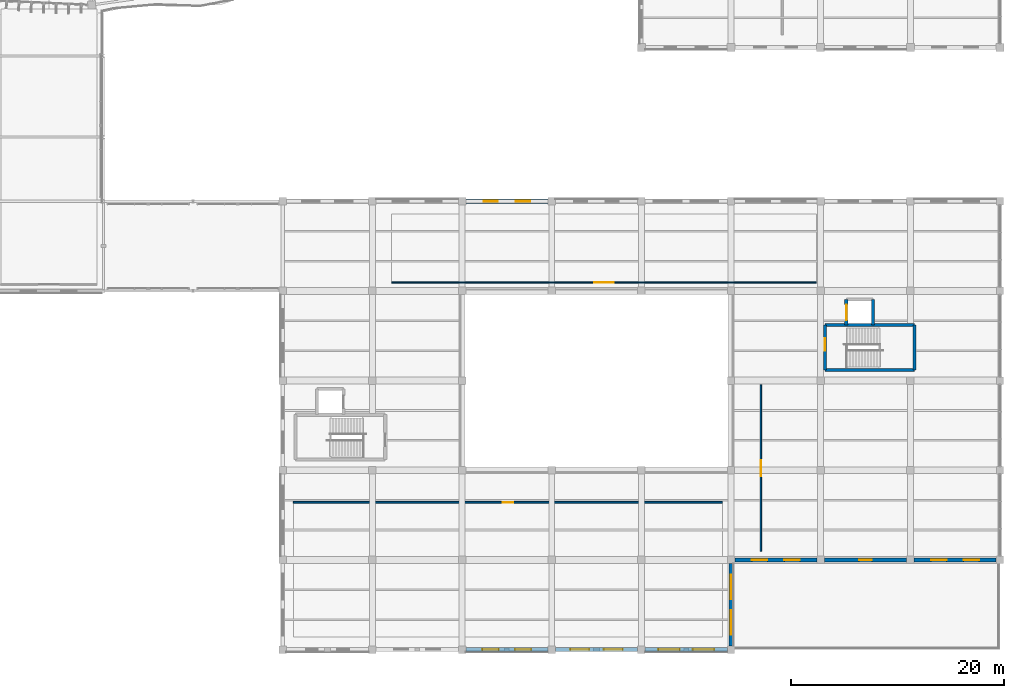
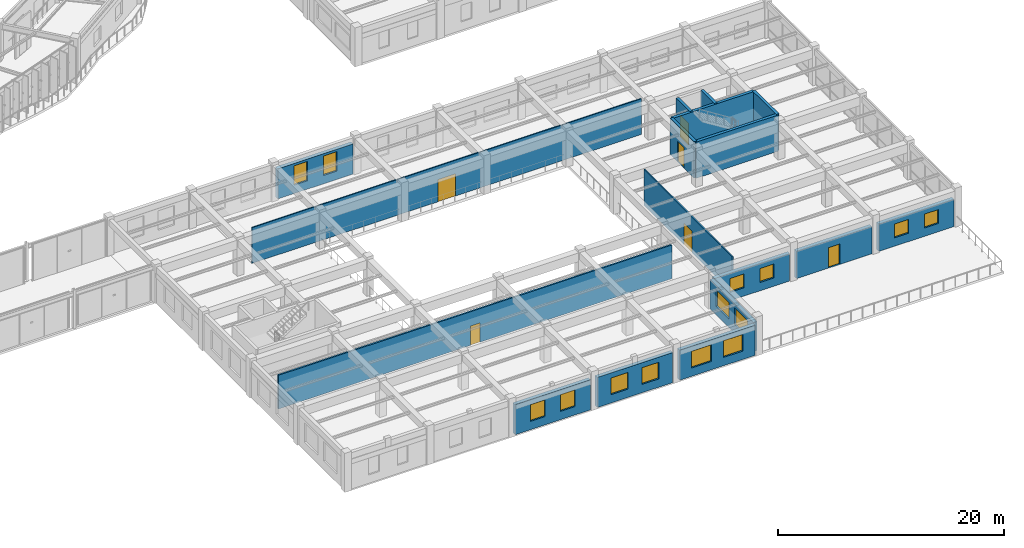
# One storey, part 126 of 152: 17 walls, 14 windows, 6 doors, 20 openings.
"""IFC4 building model written with IfcOpenShell, lengths in metres."""

from ifc_helpers import new_model, si_unit, direction, frame, frame_2d, origin, place, context, subcontext, project, spatial, rectangle, extrude, material, layer, layer_set, type_object, element, fill, save


model = new_model("IFC4")

# Units and contexts
model_context = context("Model", 3, precision=1e-05, world=origin(), true_north=direction((0.0, 1.0)))
body_context = subcontext(model_context, "Body", "Model", "MODEL_VIEW")
ifc_project = project(units=[si_unit("LENGTHUNIT", "METRE"), si_unit("AREAUNIT", "SQUARE_METRE"), si_unit("VOLUMEUNIT", "CUBIC_METRE"), si_unit("PLANEANGLEUNIT", "RADIAN"), si_unit("MASSUNIT", "GRAM", prefix="KILO"), si_unit("THERMODYNAMICTEMPERATUREUNIT", "KELVIN"), si_unit("POWERUNIT", "WATT")], contexts=[model_context])

# Site, building, storey
site_placement = place(None, origin())
site = spatial("IfcSite", under=ifc_project, at=site_placement, CompositionType="ELEMENT")
building_placement = place(site_placement, origin())
building = spatial("IfcBuilding", under=site, at=building_placement, Name="Darbajah Civic Hall", CompositionType="ELEMENT")
storey_placement = place(building_placement, frame((0.0, 0.0, 5.39990234375)))
storey = spatial("IfcBuildingStorey", under=building, at=storey_placement, Name="L01", CompositionType="ELEMENT", Elevation=5.39990234375)

# Walls
ifc_material_1 = material(Name="Concrete C45/55", Category="concrete")
ifc_layer_1 = layer(ifc_material_1, 0.300048828125, Name="Concrete C45/55")
ifc_layer_set_1 = layer_set([ifc_layer_1], Name="Concrete C45/55")
wall_type_1 = type_object("IfcWallType", Name="Core Shear Wall 300mm", PredefinedType="SHEAR", material=ifc_layer_set_1)
wall_1_placement = place(storey_placement, frame((161.800048828125, 26.199951171875, 0.0), z_axis=(0.0, 0.0, 1.0), x_axis=(1.0, 0.0, 0.0)))
element("IfcWall", 1, at=wall_1_placement, inside=storey, type_object=wall_type_1, Name="L01 core C07 shear wall S", PredefinedType="SHEAR", context=body_context, shape_type="SweptSolid", body=[
    extrude(rectangle(XDim=8.39990234375, YDim=0.300048828125, at=frame_2d((4.199951171875, 0.0))), origin(), (0.0, 0.0, 1.0), 3.920166015625),
])
wall_2_placement = place(storey_placement, frame((170.199951171875, 26.199951171875, 0.0), z_axis=(0.0, 0.0, 1.0), x_axis=(0.0, 1.0, 0.0)))
element("IfcWall", 2, at=wall_2_placement, inside=storey, type_object=wall_type_1, Name="L01 core C07 shear wall E", PredefinedType="SHEAR", context=body_context, shape_type="SweptSolid", body=[
    extrude(rectangle(XDim=4.199951171875, YDim=0.300048828125, at=frame_2d((2.10009765625, 0.0))), origin(), (0.0, 0.0, 1.0), 3.920166015625),
])
wall_3_placement = place(storey_placement, frame((170.199951171875, 30.39990234375, 0.0), z_axis=(0.0, 0.0, 1.0), x_axis=(-1.0, 0.0, 0.0)))
element("IfcWall", 3, at=wall_3_placement, inside=storey, type_object=wall_type_1, Name="L01 core C07 shear wall N", PredefinedType="SHEAR", context=body_context, shape_type="SweptSolid", body=[
    extrude(rectangle(XDim=8.39990234375, YDim=0.300048828125, at=frame_2d((4.199951171875, 0.0))), origin(), (0.0, 0.0, 1.0), 3.920166015625),
])

# Wall, opening, door
wall_4_placement = place(storey_placement, frame((161.800048828125, 30.39990234375, 0.0), z_axis=(0.0, 0.0, 1.0), x_axis=(0.0, -1.0, 0.0)))
wall_4 = element("IfcWall", 4, at=wall_4_placement, inside=storey, type_object=wall_type_1, Name="L01 core C07 shear wall W", PredefinedType="SHEAR", context=body_context, shape_type="SweptSolid", body=[
    extrude(rectangle(XDim=4.199951171875, YDim=0.300048828125, at=frame_2d((2.10009765625, 0.0))), origin(), (0.0, 0.0, 1.0), 3.920166015625),
])
opening_1_placement = place(wall_4_placement, frame((1.25, 0.0, 0.0)))
opening_1 = element("IfcOpeningElement", 5, at=opening_1_placement, cuts=wall_4, Name="Opening SD-0082", PredefinedType="OPENING", context=body_context, shape_type="SweptSolid", body=[
    extrude(rectangle(XDim=1.14990234375, YDim=2.199951171875, at=frame_2d((0.574951171875, 1.10009765625))), frame((0.0, 0.159912109375, 0.0), z_axis=(0.0, -1.0, 0.0), x_axis=(1.0, 0.0, 0.0)), (0.0, 0.0, 1.0), 0.320068359375),
])
ifc_material_2 = material(Name="Steel Rated Core Door", Category="steel")
door_type_1 = type_object("IfcDoorType", Name="Interior Door 1150x2200", OperationType="NOTDEFINED", PredefinedType="DOOR", material=ifc_material_2)
door_1_placement = place(opening_1_placement, origin())
door_1 = element("IfcDoor", 6, at=door_1_placement, inside=storey, type_object=door_type_1, Name="L01 stair ST07 fire door SD-0082", OperationType="SINGLE_SWING_LEFT", OverallHeight=2.199951171875, OverallWidth=1.14990234375, PredefinedType="DOOR", context=body_context, shape_type="SweptSolid", body=[
    extrude(rectangle(XDim=1.14990234375, YDim=2.199951171875, at=frame_2d((0.574951171875, 1.10009765625))), frame((0.0, 0.02490234375, 0.0), z_axis=(0.0, -1.0, 0.0), x_axis=(1.0, 0.0, 0.0)), (0.0, 0.0, 1.0), 0.050048828125),
])
fill(opening_1, door_1)

wall_5_placement = place(storey_placement, frame((163.800048828125, 32.800048828125, 0.0), z_axis=(0.0, 0.0, 1.0), x_axis=(0.0, -1.0, 0.0)))
wall_5 = element("IfcWall", 7, at=wall_5_placement, inside=storey, type_object=wall_type_1, Name="L01 lift GL1 shaft wall W", PredefinedType="SHEAR", context=body_context, shape_type="SweptSolid", body=[
    extrude(rectangle(XDim=2.400146484375, YDim=0.300048828125, at=frame_2d((1.2001953125, 0.0))), origin(), (0.0, 0.0, 1.0), 3.920166015625),
])
opening_2_placement = place(wall_5_placement, frame((0.47509765625, 0.0, 0.0)))
opening_2 = element("IfcOpeningElement", 8, at=opening_2_placement, cuts=wall_5, Name="Opening LD-0086", PredefinedType="OPENING", context=body_context, shape_type="SweptSolid", body=[
    extrude(rectangle(XDim=1.449951171875, YDim=2.35009765625, at=frame_2d((0.72509765625, 1.175048828125))), frame((0.0, 0.159912109375, 0.0), z_axis=(0.0, -1.0, 0.0), x_axis=(1.0, 0.0, 0.0)), (0.0, 0.0, 1.0), 0.320068359375),
])
ifc_material_3 = material(Name="Goods Lift Landing Door")
door_type_2 = type_object("IfcDoorType", Name="Lift Landing Door 1450x2350", OperationType="SLIDING_TO_LEFT", PredefinedType="DOOR", material=ifc_material_3)
door_2_placement = place(opening_2_placement, origin())
door_2 = element("IfcDoor", 9, at=door_2_placement, inside=storey, type_object=door_type_2, Name="L01 lift GL1 landing door LD-0086", OperationType="SLIDING_TO_LEFT", OverallHeight=2.35009765625, OverallWidth=1.449951171875, PredefinedType="DOOR", context=body_context, shape_type="SweptSolid", body=[
    extrude(rectangle(XDim=1.449951171875, YDim=2.35009765625, at=frame_2d((0.72509765625, 1.175048828125))), frame((0.0, 0.02490234375, 0.0), z_axis=(0.0, -1.0, 0.0), x_axis=(1.0, 0.0, 0.0)), (0.0, 0.0, 1.0), 0.050048828125),
])
fill(opening_2, door_2)

# Wall
wall_6_placement = place(storey_placement, frame((166.300048828125, 30.39990234375, 0.0), z_axis=(0.0, 0.0, 1.0), x_axis=(0.0, 1.0, 0.0)))
element("IfcWall", 10, at=wall_6_placement, inside=storey, type_object=wall_type_1, Name="L01 lift GL1 shaft wall E", PredefinedType="SHEAR", context=body_context, shape_type="SweptSolid", body=[
    extrude(rectangle(XDim=2.400146484375, YDim=0.300048828125, at=frame_2d((1.2001953125, 0.0))), origin(), (0.0, 0.0, 1.0), 3.920166015625),
])

# Wall, openings, windows
ifc_material_4 = material(Name="Red Dholpur Sandstone Cladding", Category="masonry")
ifc_layer_2 = layer(ifc_material_4, 0.3798828125, Name="Red Dholpur Sandstone Cladding")
ifc_layer_set_2 = layer_set([ifc_layer_2], Name="Red Dholpur Sandstone Cladding")
wall_type_2 = type_object("IfcWallType", Name="Exterior Wall 380mm", PredefinedType="SOLIDWALL", material=ifc_layer_set_2)
wall_7_placement = place(storey_placement, frame((128.152099609375, 0.0, 0.0), z_axis=(0.0, 0.0, 1.0), x_axis=(1.0, 0.0, 0.0)))
wall_7 = element("IfcWall", 11, at=wall_7_placement, inside=storey, type_object=wall_type_2, Name="L01 exterior wall EW-380", PredefinedType="SOLIDWALL", context=body_context, shape_type="SweptSolid", body=[
    extrude(rectangle(XDim=7.69580078125, YDim=0.3798828125, at=frame_2d((3.847900390625, 0.0))), origin(), (0.0, 0.0, 1.0), 3.25),
])
opening_3_placement = place(wall_7_placement, frame((1.565185546875, 0.0, 0.89990234375)))
opening_3 = element("IfcOpeningElement", 12, at=opening_3_placement, cuts=wall_7, Name="Opening WN-19", PredefinedType="OPENING", context=body_context, shape_type="SweptSolid", body=[
    extrude(rectangle(XDim=1.5, YDim=1.800048828125, at=frame_2d((0.75, 0.89990234375))), frame((0.0, 0.199951171875, 0.0), z_axis=(0.0, -1.0, 0.0), x_axis=(1.0, 0.0, 0.0)), (0.0, 0.0, 1.0), 0.39990234375),
])
opening_4_placement = place(wall_7_placement, frame((4.630615234375, 0.0, 0.89990234375)))
opening_4 = element("IfcOpeningElement", 13, at=opening_4_placement, cuts=wall_7, Name="Opening WN-19", PredefinedType="OPENING", context=body_context, shape_type="SweptSolid", body=[
    extrude(rectangle(XDim=1.5, YDim=1.800048828125, at=frame_2d((0.75, 0.89990234375))), frame((0.0, 0.199951171875, 0.0), z_axis=(0.0, -1.0, 0.0), x_axis=(1.0, 0.0, 0.0)), (0.0, 0.0, 1.0), 0.39990234375),
])
ifc_material_5 = material(Name="Low-E Solar Control Double Glazing", Category="glass")
window_type_1 = type_object("IfcWindowType", Name="Facade Window 1500x1800", PartitioningType="SINGLE_PANEL", PredefinedType="WINDOW", material=ifc_material_5)
window_1_placement = place(opening_3_placement, origin())
window_1 = element("IfcWindow", 14, at=window_1_placement, inside=storey, type_object=window_type_1, Name="L01 facade window WN-19", OverallHeight=1.800048828125, OverallWidth=1.5, PartitioningType="SINGLE_PANEL", PredefinedType="WINDOW", context=body_context, shape_type="SweptSolid", body=[
    extrude(rectangle(XDim=1.5, YDim=1.800048828125, at=frame_2d((0.75, 0.89990234375))), frame((0.0, 0.030029296875, 0.0), z_axis=(0.0, -1.0, 0.0), x_axis=(1.0, 0.0, 0.0)), (0.0, 0.0, 1.0), 0.06005859375),
])
fill(opening_3, window_1)
window_2_placement = place(opening_4_placement, origin())
window_2 = element("IfcWindow", 15, at=window_2_placement, inside=storey, type_object=window_type_1, Name="L01 facade window WN-19", OverallHeight=1.800048828125, OverallWidth=1.5, PartitioningType="SINGLE_PANEL", PredefinedType="WINDOW", context=body_context, shape_type="SweptSolid", body=[
    extrude(rectangle(XDim=1.5, YDim=1.800048828125, at=frame_2d((0.75, 0.89990234375))), frame((0.0, 0.030029296875, 0.0), z_axis=(0.0, -1.0, 0.0), x_axis=(1.0, 0.0, 0.0)), (0.0, 0.0, 1.0), 0.06005859375),
])
fill(opening_4, window_2)

wall_8_placement = place(storey_placement, frame((136.552001953125, 0.0, 0.0), z_axis=(0.0, 0.0, 1.0), x_axis=(1.0, 0.0, 0.0)))
wall_8 = element("IfcWall", 16, at=wall_8_placement, inside=storey, type_object=wall_type_2, Name="L01 exterior wall EW-380", PredefinedType="SOLIDWALL", context=body_context, shape_type="SweptSolid", body=[
    extrude(rectangle(XDim=7.696044921875, YDim=0.3798828125, at=frame_2d((3.84814453125, 0.0))), origin(), (0.0, 0.0, 1.0), 3.25),
])
opening_5_placement = place(wall_8_placement, frame((1.398681640625, 0.0, 0.89990234375)))
opening_5 = element("IfcOpeningElement", 17, at=opening_5_placement, cuts=wall_8, Name="Opening WN-20", PredefinedType="OPENING", context=body_context, shape_type="SweptSolid", body=[
    extrude(rectangle(XDim=1.75, YDim=1.800048828125, at=frame_2d((0.875, 0.89990234375))), frame((0.0, 0.199951171875, 0.0), z_axis=(0.0, -1.0, 0.0), x_axis=(1.0, 0.0, 0.0)), (0.0, 0.0, 1.0), 0.39990234375),
])
opening_6_placement = place(wall_8_placement, frame((4.54736328125, 0.0, 0.89990234375)))
opening_6 = element("IfcOpeningElement", 18, at=opening_6_placement, cuts=wall_8, Name="Opening WN-20", PredefinedType="OPENING", context=body_context, shape_type="SweptSolid", body=[
    extrude(rectangle(XDim=1.75, YDim=1.800048828125, at=frame_2d((0.875, 0.89990234375))), frame((0.0, 0.199951171875, 0.0), z_axis=(0.0, -1.0, 0.0), x_axis=(1.0, 0.0, 0.0)), (0.0, 0.0, 1.0), 0.39990234375),
])
window_type_2 = type_object("IfcWindowType", Name="Facade Window 1750x1800", PartitioningType="DOUBLE_PANEL_VERTICAL", PredefinedType="WINDOW", material=ifc_material_5)
window_3_placement = place(opening_5_placement, origin())
window_3 = element("IfcWindow", 19, at=window_3_placement, inside=storey, type_object=window_type_2, Name="L01 facade window WN-20", OverallHeight=1.800048828125, OverallWidth=1.75, PartitioningType="SINGLE_PANEL", PredefinedType="WINDOW", context=body_context, shape_type="SweptSolid", body=[
    extrude(rectangle(XDim=1.75, YDim=1.800048828125, at=frame_2d((0.875, 0.89990234375))), frame((0.0, 0.030029296875, 0.0), z_axis=(0.0, -1.0, 0.0), x_axis=(1.0, 0.0, 0.0)), (0.0, 0.0, 1.0), 0.06005859375),
])
fill(opening_5, window_3)
window_4_placement = place(opening_6_placement, origin())
window_4 = element("IfcWindow", 20, at=window_4_placement, inside=storey, type_object=window_type_2, Name="L01 facade window WN-20", OverallHeight=1.800048828125, OverallWidth=1.75, PartitioningType="SINGLE_PANEL", PredefinedType="WINDOW", context=body_context, shape_type="SweptSolid", body=[
    extrude(rectangle(XDim=1.75, YDim=1.800048828125, at=frame_2d((0.875, 0.89990234375))), frame((0.0, 0.030029296875, 0.0), z_axis=(0.0, -1.0, 0.0), x_axis=(1.0, 0.0, 0.0)), (0.0, 0.0, 1.0), 0.06005859375),
])
fill(opening_6, window_4)

wall_9_placement = place(storey_placement, frame((144.951904296875, 0.0, 0.0), z_axis=(0.0, 0.0, 1.0), x_axis=(1.0, 0.0, 0.0)))
wall_9 = element("IfcWall", 21, at=wall_9_placement, inside=storey, type_object=wall_type_2, Name="L01 exterior wall EW-380", PredefinedType="SOLIDWALL", context=body_context, shape_type="SweptSolid", body=[
    extrude(rectangle(XDim=7.696044921875, YDim=0.3798828125, at=frame_2d((3.84814453125, 0.0))), origin(), (0.0, 0.0, 1.0), 3.25),
])
opening_7_placement = place(wall_9_placement, frame((1.23193359375, 0.0, 0.89990234375)))
opening_7 = element("IfcOpeningElement", 22, at=opening_7_placement, cuts=wall_9, Name="Opening WN-21", PredefinedType="OPENING", context=body_context, shape_type="SweptSolid", body=[
    extrude(rectangle(XDim=2.0, YDim=1.800048828125, at=frame_2d((1.0, 0.89990234375))), frame((0.0, 0.199951171875, 0.0), z_axis=(0.0, -1.0, 0.0), x_axis=(1.0, 0.0, 0.0)), (0.0, 0.0, 1.0), 0.39990234375),
])
opening_8_placement = place(wall_9_placement, frame((4.464111328125, 0.0, 0.89990234375)))
opening_8 = element("IfcOpeningElement", 23, at=opening_8_placement, cuts=wall_9, Name="Opening WN-21", PredefinedType="OPENING", context=body_context, shape_type="SweptSolid", body=[
    extrude(rectangle(XDim=2.0, YDim=1.800048828125, at=frame_2d((1.0, 0.89990234375))), frame((0.0, 0.199951171875, 0.0), z_axis=(0.0, -1.0, 0.0), x_axis=(1.0, 0.0, 0.0)), (0.0, 0.0, 1.0), 0.39990234375),
])
window_type_3 = type_object("IfcWindowType", Name="Facade Window 2000x1800", PartitioningType="DOUBLE_PANEL_VERTICAL", PredefinedType="WINDOW", material=ifc_material_5)
window_5_placement = place(opening_7_placement, origin())
window_5 = element("IfcWindow", 24, at=window_5_placement, inside=storey, type_object=window_type_3, Name="L01 facade window WN-21", OverallHeight=1.800048828125, OverallWidth=2.0, PartitioningType="SINGLE_PANEL", PredefinedType="WINDOW", context=body_context, shape_type="SweptSolid", body=[
    extrude(rectangle(XDim=2.0, YDim=1.800048828125, at=frame_2d((1.0, 0.89990234375))), frame((0.0, 0.030029296875, 0.0), z_axis=(0.0, -1.0, 0.0), x_axis=(1.0, 0.0, 0.0)), (0.0, 0.0, 1.0), 0.06005859375),
])
fill(opening_7, window_5)
window_6_placement = place(opening_8_placement, origin())
window_6 = element("IfcWindow", 25, at=window_6_placement, inside=storey, type_object=window_type_3, Name="L01 facade window WN-21", OverallHeight=1.800048828125, OverallWidth=2.0, PartitioningType="SINGLE_PANEL", PredefinedType="WINDOW", context=body_context, shape_type="SweptSolid", body=[
    extrude(rectangle(XDim=2.0, YDim=1.800048828125, at=frame_2d((1.0, 0.89990234375))), frame((0.0, 0.030029296875, 0.0), z_axis=(0.0, -1.0, 0.0), x_axis=(1.0, 0.0, 0.0)), (0.0, 0.0, 1.0), 0.06005859375),
])
fill(opening_8, window_6)

wall_10_placement = place(storey_placement, frame((153.0, 0.35205078125, 0.0), z_axis=(0.0, 0.0, 1.0), x_axis=(0.0, 1.0, 0.0)))
wall_10 = element("IfcWall", 26, at=wall_10_placement, inside=storey, type_object=wall_type_2, Name="L01 exterior wall EW-380", PredefinedType="SOLIDWALL", context=body_context, shape_type="SweptSolid", body=[
    extrude(rectangle(XDim=7.696044921875, YDim=0.3798828125, at=frame_2d((3.84814453125, 0.0))), origin(), (0.0, 0.0, 1.0), 3.150146484375),
])
opening_9_placement = place(wall_10_placement, frame((1.031982421875, 0.0, 0.89990234375)))
opening_9 = element("IfcOpeningElement", 27, at=opening_9_placement, cuts=wall_10, Name="Opening WN-22", PredefinedType="OPENING", context=body_context, shape_type="SweptSolid", body=[
    extrude(rectangle(XDim=2.300048828125, YDim=1.800048828125, at=frame_2d((1.14990234375, 0.89990234375))), frame((0.0, 0.199951171875, 0.0), z_axis=(0.0, -1.0, 0.0), x_axis=(1.0, 0.0, 0.0)), (0.0, 0.0, 1.0), 0.39990234375),
])
opening_10_placement = place(wall_10_placement, frame((4.364013671875, 0.0, 0.89990234375)))
opening_10 = element("IfcOpeningElement", 28, at=opening_10_placement, cuts=wall_10, Name="Opening WN-22", PredefinedType="OPENING", context=body_context, shape_type="SweptSolid", body=[
    extrude(rectangle(XDim=2.300048828125, YDim=1.800048828125, at=frame_2d((1.14990234375, 0.89990234375))), frame((0.0, 0.199951171875, 0.0), z_axis=(0.0, -1.0, 0.0), x_axis=(1.0, 0.0, 0.0)), (0.0, 0.0, 1.0), 0.39990234375),
])
window_type_4 = type_object("IfcWindowType", Name="Facade Window 2300x1800", PartitioningType="DOUBLE_PANEL_VERTICAL", PredefinedType="WINDOW", material=ifc_material_5)
window_7_placement = place(opening_9_placement, origin())
window_7 = element("IfcWindow", 29, at=window_7_placement, inside=storey, type_object=window_type_4, Name="L01 facade window WN-22", OverallHeight=1.800048828125, OverallWidth=2.300048828125, PartitioningType="SINGLE_PANEL", PredefinedType="WINDOW", context=body_context, shape_type="SweptSolid", body=[
    extrude(rectangle(XDim=2.300048828125, YDim=1.800048828125, at=frame_2d((1.14990234375, 0.89990234375))), frame((0.0, 0.030029296875, 0.0), z_axis=(0.0, -1.0, 0.0), x_axis=(1.0, 0.0, 0.0)), (0.0, 0.0, 1.0), 0.06005859375),
])
fill(opening_9, window_7)
window_8_placement = place(opening_10_placement, origin())
window_8 = element("IfcWindow", 30, at=window_8_placement, inside=storey, type_object=window_type_4, Name="L01 facade window WN-22", OverallHeight=1.800048828125, OverallWidth=2.300048828125, PartitioningType="SINGLE_PANEL", PredefinedType="WINDOW", context=body_context, shape_type="SweptSolid", body=[
    extrude(rectangle(XDim=2.300048828125, YDim=1.800048828125, at=frame_2d((1.14990234375, 0.89990234375))), frame((0.0, 0.030029296875, 0.0), z_axis=(0.0, -1.0, 0.0), x_axis=(1.0, 0.0, 0.0)), (0.0, 0.0, 1.0), 0.06005859375),
])
fill(opening_10, window_8)

wall_11_placement = place(storey_placement, frame((153.35205078125, 8.39990234375, 0.0), z_axis=(0.0, 0.0, 1.0), x_axis=(1.0, 0.0, 0.0)))
wall_11 = element("IfcWall", 31, at=wall_11_placement, inside=storey, type_object=wall_type_2, Name="L01 exterior wall EW-380", PredefinedType="SOLIDWALL", context=body_context, shape_type="SweptSolid", body=[
    extrude(rectangle(XDim=7.696044921875, YDim=0.3798828125, at=frame_2d((3.84814453125, 0.0))), origin(), (0.0, 0.0, 1.0), 2.9501953125),
])
opening_11_placement = place(wall_11_placement, frame((1.5986328125, 0.0, 0.89990234375)))
opening_11 = element("IfcOpeningElement", 32, at=opening_11_placement, cuts=wall_11, Name="Opening WN-25", PredefinedType="OPENING", context=body_context, shape_type="SweptSolid", body=[
    extrude(rectangle(XDim=1.449951171875, YDim=1.5, at=frame_2d((0.72509765625, 0.75))), frame((0.0, 0.199951171875, 0.0), z_axis=(0.0, -1.0, 0.0), x_axis=(1.0, 0.0, 0.0)), (0.0, 0.0, 1.0), 0.39990234375),
])
opening_12_placement = place(wall_11_placement, frame((4.647216796875, 0.0, 0.89990234375)))
opening_12 = element("IfcOpeningElement", 33, at=opening_12_placement, cuts=wall_11, Name="Opening WN-25", PredefinedType="OPENING", context=body_context, shape_type="SweptSolid", body=[
    extrude(rectangle(XDim=1.449951171875, YDim=1.5, at=frame_2d((0.72509765625, 0.75))), frame((0.0, 0.199951171875, 0.0), z_axis=(0.0, -1.0, 0.0), x_axis=(1.0, 0.0, 0.0)), (0.0, 0.0, 1.0), 0.39990234375),
])
window_type_5 = type_object("IfcWindowType", Name="Facade Window 1450x1500", PartitioningType="SINGLE_PANEL", PredefinedType="WINDOW", material=ifc_material_5)
window_9_placement = place(opening_11_placement, origin())
window_9 = element("IfcWindow", 34, at=window_9_placement, inside=storey, type_object=window_type_5, Name="L01 facade window WN-25", OverallHeight=1.5, OverallWidth=1.449951171875, PartitioningType="SINGLE_PANEL", PredefinedType="WINDOW", context=body_context, shape_type="SweptSolid", body=[
    extrude(rectangle(XDim=1.449951171875, YDim=1.5, at=frame_2d((0.72509765625, 0.75))), frame((0.0, 0.030029296875, 0.0), z_axis=(0.0, -1.0, 0.0), x_axis=(1.0, 0.0, 0.0)), (0.0, 0.0, 1.0), 0.06005859375),
])
fill(opening_11, window_9)
window_10_placement = place(opening_12_placement, origin())
window_10 = element("IfcWindow", 35, at=window_10_placement, inside=storey, type_object=window_type_5, Name="L01 facade window WN-25", OverallHeight=1.5, OverallWidth=1.449951171875, PartitioningType="SINGLE_PANEL", PredefinedType="WINDOW", context=body_context, shape_type="SweptSolid", body=[
    extrude(rectangle(XDim=1.449951171875, YDim=1.5, at=frame_2d((0.72509765625, 0.75))), frame((0.0, 0.030029296875, 0.0), z_axis=(0.0, -1.0, 0.0), x_axis=(1.0, 0.0, 0.0)), (0.0, 0.0, 1.0), 0.06005859375),
])
fill(opening_12, window_10)

# Wall, opening, door
wall_12_placement = place(storey_placement, frame((161.751953125, 8.39990234375, 0.0), z_axis=(0.0, 0.0, 1.0), x_axis=(1.0, 0.0, 0.0)))
wall_12 = element("IfcWall", 36, at=wall_12_placement, inside=storey, type_object=wall_type_2, Name="L01 exterior wall EW-380", PredefinedType="SOLIDWALL", context=body_context, shape_type="SweptSolid", body=[
    extrude(rectangle(XDim=7.696044921875, YDim=0.3798828125, at=frame_2d((3.84814453125, 0.0))), origin(), (0.0, 0.0, 1.0), 2.9501953125),
])
opening_13_placement = place(wall_12_placement, frame((3.248046875, 0.0, 0.0)))
opening_13 = element("IfcOpeningElement", 37, at=opening_13_placement, cuts=wall_12, Name="Opening E-010", PredefinedType="OPENING", context=body_context, shape_type="SweptSolid", body=[
    extrude(rectangle(XDim=1.199951171875, YDim=2.199951171875, at=frame_2d((0.60009765625, 1.10009765625))), frame((0.0, 0.199951171875, 0.0), z_axis=(0.0, -1.0, 0.0), x_axis=(1.0, 0.0, 0.0)), (0.0, 0.0, 1.0), 0.39990234375),
])
ifc_material_6 = material(Name="Anodised Bronze Aluminium and Laminated Glass", Category="aluminium")
door_type_3 = type_object("IfcDoorType", Name="Exterior Door 1200x2200", OperationType="NOTDEFINED", PredefinedType="DOOR", material=ifc_material_6)
door_3_placement = place(opening_13_placement, frame((1.199951171875, 0.0, 0.0), z_axis=(0.0, 0.0, 1.0), x_axis=(-1.0, 0.0, 0.0)))
door_3 = element("IfcDoor", 38, at=door_3_placement, inside=storey, type_object=door_type_3, Name="Maidan Ceremonial Terrace Door E-010", OperationType="SINGLE_SWING_RIGHT", OverallHeight=2.199951171875, OverallWidth=1.199951171875, PredefinedType="DOOR", context=body_context, shape_type="SweptSolid", body=[
    extrude(rectangle(XDim=1.199951171875, YDim=2.199951171875, at=frame_2d((0.60009765625, 1.10009765625))), frame((0.0, 0.02490234375, 0.0), z_axis=(0.0, -1.0, 0.0), x_axis=(1.0, 0.0, 0.0)), (0.0, 0.0, 1.0), 0.050048828125),
])
fill(opening_13, door_3)

# Wall, openings, windows
wall_13_placement = place(storey_placement, frame((170.152099609375, 8.39990234375, 0.0), z_axis=(0.0, 0.0, 1.0), x_axis=(1.0, 0.0, 0.0)))
wall_13 = element("IfcWall", 39, at=wall_13_placement, inside=storey, type_object=wall_type_2, Name="L01 exterior wall EW-380", PredefinedType="SOLIDWALL", context=body_context, shape_type="SweptSolid", body=[
    extrude(rectangle(XDim=7.69580078125, YDim=0.3798828125, at=frame_2d((3.847900390625, 0.0))), origin(), (0.0, 0.0, 1.0), 2.9501953125),
])
opening_14_placement = place(wall_13_placement, frame((1.5986328125, 0.0, 0.89990234375)))
opening_14 = element("IfcOpeningElement", 40, at=opening_14_placement, cuts=wall_13, Name="Opening WN-25", PredefinedType="OPENING", context=body_context, shape_type="SweptSolid", body=[
    extrude(rectangle(XDim=1.449951171875, YDim=1.5, at=frame_2d((0.72509765625, 0.75))), frame((0.0, 0.199951171875, 0.0), z_axis=(0.0, -1.0, 0.0), x_axis=(1.0, 0.0, 0.0)), (0.0, 0.0, 1.0), 0.39990234375),
])
opening_15_placement = place(wall_13_placement, frame((4.647216796875, 0.0, 0.89990234375)))
opening_15 = element("IfcOpeningElement", 41, at=opening_15_placement, cuts=wall_13, Name="Opening WN-25", PredefinedType="OPENING", context=body_context, shape_type="SweptSolid", body=[
    extrude(rectangle(XDim=1.449951171875, YDim=1.5, at=frame_2d((0.72509765625, 0.75))), frame((0.0, 0.199951171875, 0.0), z_axis=(0.0, -1.0, 0.0), x_axis=(1.0, 0.0, 0.0)), (0.0, 0.0, 1.0), 0.39990234375),
])
window_11_placement = place(opening_14_placement, origin())
window_11 = element("IfcWindow", 42, at=window_11_placement, inside=storey, type_object=window_type_5, Name="L01 facade window WN-25", OverallHeight=1.5, OverallWidth=1.449951171875, PartitioningType="SINGLE_PANEL", PredefinedType="WINDOW", context=body_context, shape_type="SweptSolid", body=[
    extrude(rectangle(XDim=1.449951171875, YDim=1.5, at=frame_2d((0.72509765625, 0.75))), frame((0.0, 0.030029296875, 0.0), z_axis=(0.0, -1.0, 0.0), x_axis=(1.0, 0.0, 0.0)), (0.0, 0.0, 1.0), 0.06005859375),
])
fill(opening_14, window_11)
window_12_placement = place(opening_15_placement, origin())
window_12 = element("IfcWindow", 43, at=window_12_placement, inside=storey, type_object=window_type_5, Name="L01 facade window WN-25", OverallHeight=1.5, OverallWidth=1.449951171875, PartitioningType="SINGLE_PANEL", PredefinedType="WINDOW", context=body_context, shape_type="SweptSolid", body=[
    extrude(rectangle(XDim=1.449951171875, YDim=1.5, at=frame_2d((0.72509765625, 0.75))), frame((0.0, 0.030029296875, 0.0), z_axis=(0.0, -1.0, 0.0), x_axis=(1.0, 0.0, 0.0)), (0.0, 0.0, 1.0), 0.06005859375),
])
fill(opening_15, window_12)

wall_14_placement = place(storey_placement, frame((135.847900390625, 42.0, 0.0), z_axis=(0.0, 0.0, 1.0), x_axis=(-1.0, 0.0, 0.0)))
wall_14 = element("IfcWall", 44, at=wall_14_placement, inside=storey, type_object=wall_type_2, Name="L01 exterior wall EW-380", PredefinedType="SOLIDWALL", context=body_context, shape_type="SweptSolid", body=[
    extrude(rectangle(XDim=7.69580078125, YDim=0.3798828125, at=frame_2d((3.847900390625, 0.0))), origin(), (0.0, 0.0, 1.0), 3.25),
])
opening_16_placement = place(wall_14_placement, frame((1.665283203125, 0.0, 0.89990234375)))
opening_16 = element("IfcOpeningElement", 45, at=opening_16_placement, cuts=wall_14, Name="Opening WN-02", PredefinedType="OPENING", context=body_context, shape_type="SweptSolid", body=[
    extrude(rectangle(XDim=1.35009765625, YDim=2.10009765625, at=frame_2d((0.675048828125, 1.050048828125))), frame((0.0, 0.199951171875, 0.0), z_axis=(0.0, -1.0, 0.0), x_axis=(1.0, 0.0, 0.0)), (0.0, 0.0, 1.0), 0.39990234375),
])
opening_17_placement = place(wall_14_placement, frame((4.6806640625, 0.0, 0.89990234375)))
opening_17 = element("IfcOpeningElement", 46, at=opening_17_placement, cuts=wall_14, Name="Opening WN-02", PredefinedType="OPENING", context=body_context, shape_type="SweptSolid", body=[
    extrude(rectangle(XDim=1.35009765625, YDim=2.10009765625, at=frame_2d((0.675048828125, 1.050048828125))), frame((0.0, 0.199951171875, 0.0), z_axis=(0.0, -1.0, 0.0), x_axis=(1.0, 0.0, 0.0)), (0.0, 0.0, 1.0), 0.39990234375),
])
window_type_6 = type_object("IfcWindowType", Name="Facade Window 1350x2100", PartitioningType="SINGLE_PANEL", PredefinedType="WINDOW", material=ifc_material_5)
window_13_placement = place(opening_16_placement, origin())
window_13 = element("IfcWindow", 47, at=window_13_placement, inside=storey, type_object=window_type_6, Name="L01 facade window WN-02", OverallHeight=2.10009765625, OverallWidth=1.35009765625, PartitioningType="SINGLE_PANEL", PredefinedType="WINDOW", context=body_context, shape_type="SweptSolid", body=[
    extrude(rectangle(XDim=1.35009765625, YDim=2.10009765625, at=frame_2d((0.675048828125, 1.050048828125))), frame((0.0, 0.030029296875, 0.0), z_axis=(0.0, -1.0, 0.0), x_axis=(1.0, 0.0, 0.0)), (0.0, 0.0, 1.0), 0.06005859375),
])
fill(opening_16, window_13)
window_14_placement = place(opening_17_placement, origin())
window_14 = element("IfcWindow", 48, at=window_14_placement, inside=storey, type_object=window_type_6, Name="L01 facade window WN-02", OverallHeight=2.10009765625, OverallWidth=1.35009765625, PartitioningType="SINGLE_PANEL", PredefinedType="WINDOW", context=body_context, shape_type="SweptSolid", body=[
    extrude(rectangle(XDim=1.35009765625, YDim=2.10009765625, at=frame_2d((0.675048828125, 1.050048828125))), frame((0.0, 0.030029296875, 0.0), z_axis=(0.0, -1.0, 0.0), x_axis=(1.0, 0.0, 0.0)), (0.0, 0.0, 1.0), 0.06005859375),
])
fill(opening_17, window_14)

# Wall, opening, door
ifc_material_7 = material(Name="Acoustic Gypsum Partition")
ifc_layer_3 = layer(ifc_material_7, 0.114990234375, Name="Acoustic Gypsum Partition")
ifc_layer_set_3 = layer_set([ifc_layer_3], Name="Acoustic Gypsum Partition")
wall_type_3 = type_object("IfcWallType", Name="Interior Partition 115mm", PredefinedType="PARTITIONING", material=ifc_layer_set_3)
wall_15_placement = place(storey_placement, frame((121.199951171875, 34.39990234375, 0.0), z_axis=(0.0, 0.0, 1.0), x_axis=(1.0, 0.0, 0.0)))
wall_15 = element("IfcWall", 49, at=wall_15_placement, inside=storey, type_object=wall_type_3, Name="L01 interior partition L01-V3-03", PredefinedType="PARTITIONING", context=body_context, shape_type="SweptSolid", body=[
    extrude(rectangle(XDim=39.800048828125, YDim=0.114990234375, at=frame_2d((19.89990234375, 0.0))), origin(), (0.0, 0.0, 1.0), 3.860107421875),
])
opening_18_placement = place(wall_15_placement, frame((19.0, 0.0, 0.0)))
opening_18 = element("IfcOpeningElement", 50, at=opening_18_placement, cuts=wall_15, Name="Opening D-0187", PredefinedType="OPENING", context=body_context, shape_type="SweptSolid", body=[
    extrude(rectangle(XDim=1.800048828125, YDim=2.39990234375, at=frame_2d((0.89990234375, 1.199951171875))), frame((0.0, 0.0673828125, 0.0), z_axis=(0.0, -1.0, 0.0), x_axis=(1.0, 0.0, 0.0)), (0.0, 0.0, 1.0), 0.135009765625),
])
ifc_material_8 = material(Name="Painted Hardwood Fire Door", Category="wood")
door_type_4 = type_object("IfcDoorType", Name="Interior Door 1800x2400", OperationType="NOTDEFINED", PredefinedType="DOOR", material=ifc_material_8)
door_4_placement = place(opening_18_placement, origin())
door_4 = element("IfcDoor", 51, at=door_4_placement, inside=storey, type_object=door_type_4, Name="L01 L01-V3-03 door D-0187", OperationType="DOUBLE_DOOR_SINGLE_SWING", OverallHeight=2.39990234375, OverallWidth=1.800048828125, PredefinedType="DOOR", context=body_context, shape_type="SweptSolid", body=[
    extrude(rectangle(XDim=1.800048828125, YDim=2.39990234375, at=frame_2d((0.89990234375, 1.199951171875))), frame((0.0, 0.02490234375, 0.0), z_axis=(0.0, -1.0, 0.0), x_axis=(1.0, 0.0, 0.0)), (0.0, 0.0, 1.0), 0.050048828125),
])
fill(opening_18, door_4)

ifc_material_9 = material(Name="Gypsum Plasterboard on Steel Stud", Category="steel")
ifc_layer_4 = layer(ifc_material_9, 0.135009765625, Name="Gypsum Plasterboard on Steel Stud")
ifc_layer_set_4 = layer_set([ifc_layer_4], Name="Gypsum Plasterboard on Steel Stud")
wall_type_4 = type_object("IfcWallType", Name="Interior Partition 135mm", PredefinedType="PARTITIONING", material=ifc_layer_set_4)
wall_16_placement = place(storey_placement, frame((155.800048828125, 9.199951171875, 0.0), z_axis=(0.0, 0.0, 1.0), x_axis=(0.0, 1.0, 0.0)))
wall_16 = element("IfcWall", 52, at=wall_16_placement, inside=storey, type_object=wall_type_4, Name="L01 interior partition L01-V3-02", PredefinedType="PARTITIONING", context=body_context, shape_type="SweptSolid", body=[
    extrude(rectangle(XDim=15.60009765625, YDim=0.135009765625, at=frame_2d((7.800048828125, 0.0))), origin(), (0.0, 0.0, 1.0), 3.860107421875),
])
opening_19_placement = place(wall_16_placement, frame((7.050048828125, 0.0, 0.0)))
opening_19 = element("IfcOpeningElement", 53, at=opening_19_placement, cuts=wall_16, Name="Opening D-0186", PredefinedType="OPENING", context=body_context, shape_type="SweptSolid", body=[
    extrude(rectangle(XDim=1.5, YDim=2.35009765625, at=frame_2d((0.75, 1.175048828125))), frame((0.0, 0.077392578125, 0.0), z_axis=(0.0, -1.0, 0.0), x_axis=(1.0, 0.0, 0.0)), (0.0, 0.0, 1.0), 0.155029296875),
])
ifc_material_10 = material(Name="Committee Chamber Double Door")
door_type_5 = type_object("IfcDoorType", Name="Interior Door 1500x2350", OperationType="NOTDEFINED", PredefinedType="DOOR", material=ifc_material_10)
door_5_placement = place(opening_19_placement, origin())
door_5 = element("IfcDoor", 54, at=door_5_placement, inside=storey, type_object=door_type_5, Name="L01 L01-V3-02 door D-0186", OperationType="DOUBLE_DOOR_SINGLE_SWING", OverallHeight=2.35009765625, OverallWidth=1.5, PredefinedType="DOOR", context=body_context, shape_type="SweptSolid", body=[
    extrude(rectangle(XDim=1.5, YDim=2.35009765625, at=frame_2d((0.75, 1.175048828125))), frame((0.0, 0.02490234375, 0.0), z_axis=(0.0, -1.0, 0.0), x_axis=(1.0, 0.0, 0.0)), (0.0, 0.0, 1.0), 0.050048828125),
])
fill(opening_19, door_5)

ifc_layer_5 = layer(ifc_material_9, 0.159912109375, Name="Gypsum Plasterboard on Steel Stud")
ifc_layer_set_5 = layer_set([ifc_layer_5], Name="Gypsum Plasterboard on Steel Stud")
wall_type_5 = type_object("IfcWallType", Name="Interior Partition 160mm", PredefinedType="PARTITIONING", material=ifc_layer_set_5)
wall_17_placement = place(storey_placement, frame((112.0, 13.800048828125, 0.0), z_axis=(0.0, 0.0, 1.0), x_axis=(1.0, 0.0, 0.0)))
wall_17 = element("IfcWall", 55, at=wall_17_placement, inside=storey, type_object=wall_type_5, Name="L01 interior partition L01-V3-01", PredefinedType="PARTITIONING", context=body_context, shape_type="SweptSolid", body=[
    extrude(rectangle(XDim=40.199951171875, YDim=0.159912109375, at=frame_2d((20.10009765625, 0.0))), origin(), (0.0, 0.0, 1.0), 3.64404296875),
])
opening_20_placement = place(wall_17_placement, frame((19.60009765625, 0.0, 0.0)))
opening_20 = element("IfcOpeningElement", 56, at=opening_20_placement, cuts=wall_17, Name="Opening D-0185", PredefinedType="OPENING", context=body_context, shape_type="SweptSolid", body=[
    extrude(rectangle(XDim=1.0, YDim=2.10009765625, at=frame_2d((0.5, 1.050048828125))), frame((0.0, 0.08984375, 0.0), z_axis=(0.0, -1.0, 0.0), x_axis=(1.0, 0.0, 0.0)), (0.0, 0.0, 1.0), 0.179931640625),
])
ifc_material_11 = material(Name="Oak Suite Door")
door_type_6 = type_object("IfcDoorType", Name="Interior Door 1000x2100", OperationType="NOTDEFINED", PredefinedType="DOOR", material=ifc_material_11)
door_6_placement = place(opening_20_placement, origin())
door_6 = element("IfcDoor", 57, at=door_6_placement, inside=storey, type_object=door_type_6, Name="L01 L01-V3-01 door D-0185", OperationType="SINGLE_SWING_RIGHT", OverallHeight=2.10009765625, OverallWidth=1.0, PredefinedType="DOOR", context=body_context, shape_type="SweptSolid", body=[
    extrude(rectangle(XDim=1.0, YDim=2.10009765625, at=frame_2d((0.5, 1.050048828125))), frame((0.0, 0.02490234375, 0.0), z_axis=(0.0, -1.0, 0.0), x_axis=(1.0, 0.0, 0.0)), (0.0, 0.0, 1.0), 0.050048828125),
])
fill(opening_20, door_6)

save(model, "model.ifc")
